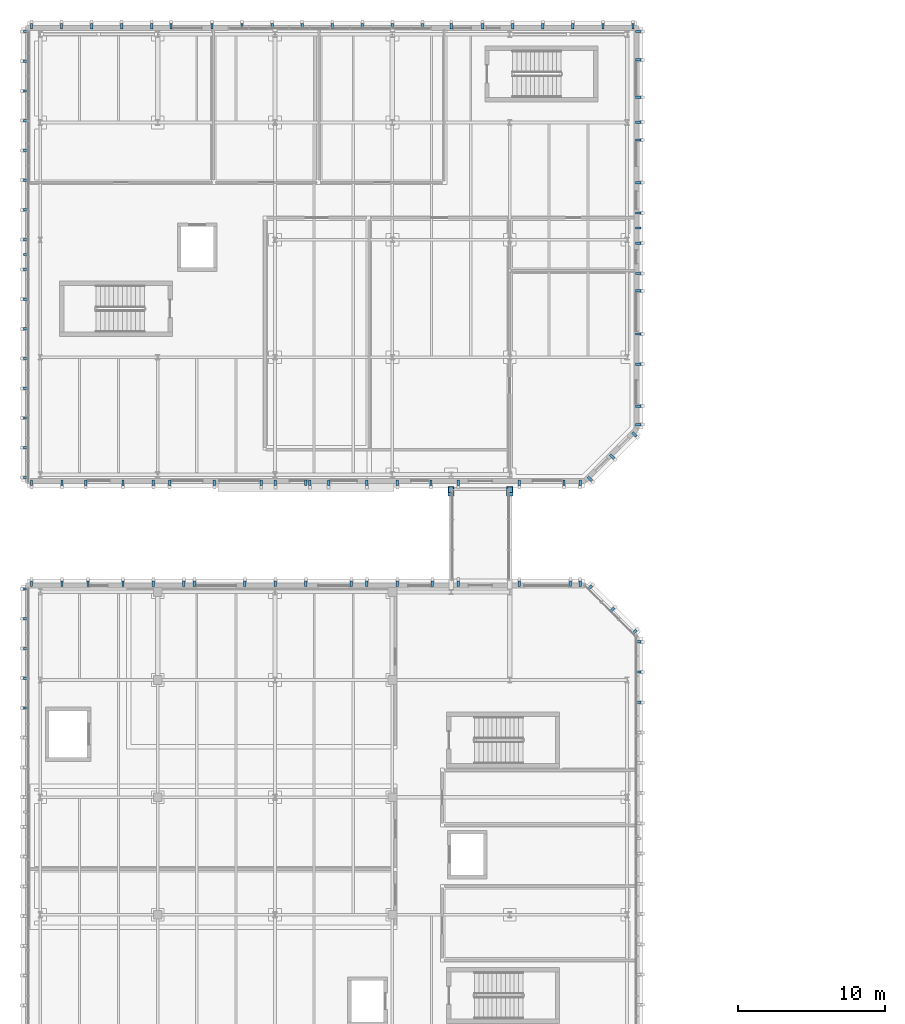
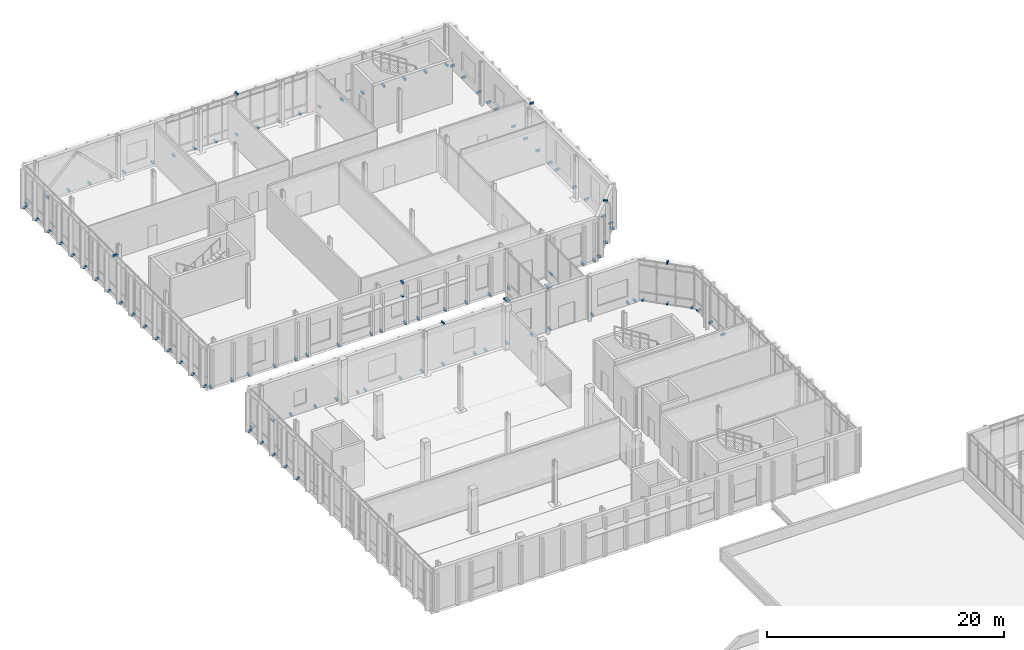
# One storey, part 70 of 86: 113 discrete accessories.
"""IFC4 building model written with IfcOpenShell, lengths in metres."""

from ifc_helpers import new_model, si_unit, direction, frame, origin, origin_2d, place, context, subcontext, project, spatial, rectangle, extrude, material, type_object, element, save


model = new_model("IFC4")

# Units and contexts
model_context = context("Model", 3, precision=1e-05, world=origin(), true_north=direction((0.0, 1.0)))
body_context = subcontext(model_context, "Body", "Model", "MODEL_VIEW")
ifc_project = project(units=[si_unit("LENGTHUNIT", "METRE"), si_unit("AREAUNIT", "SQUARE_METRE"), si_unit("VOLUMEUNIT", "CUBIC_METRE"), si_unit("PLANEANGLEUNIT", "RADIAN"), si_unit("MASSUNIT", "GRAM", prefix="KILO")], contexts=[model_context])

# Site, building, storey
site_placement = place(None, origin())
site = spatial("IfcSite", under=ifc_project, at=site_placement, CompositionType="ELEMENT")
building_placement = place(site_placement, origin())
building = spatial("IfcBuilding", under=site, at=building_placement, Name="Cymarion Research Institute", CompositionType="ELEMENT")
storey_placement = place(building_placement, frame((0.0, 0.0, 13.800048828125)))
storey = spatial("IfcBuildingStorey", under=building, at=storey_placement, Name="L03", CompositionType="ELEMENT", Elevation=13.800048828125)

# Discrete accessories
ifc_material = material(Name="Steel S355", Category="steel")
discrete_accessory_type_1 = type_object("IfcDiscreteAccessoryType", Name="PTFE ELASTOMERIC SLIDING BEARING SB01", PredefinedType="SHOE", material=ifc_material)
for number, where, z_axis, x_axis, name in (
    (1, (34.60009765625, 84.43994140625, -0.590087890625), (0.0, 0.0, 1.0), (1.0, 0.0, 0.0), "L03 SP2 unguided PTFE sliding bearing 1"),
    (2, (38.60009765625, 84.43994140625, -0.590087890625), (0.0, 0.0, 1.0), (1.0, 0.0, 0.0), "L03 SP2 unguided PTFE sliding bearing 2"),
):
    element("IfcDiscreteAccessory", number, at=place(storey_placement, frame(where, z_axis=z_axis, x_axis=x_axis)), inside=storey, type_object=discrete_accessory_type_1, Name=name, PredefinedType="SHOE", context=body_context, shape_type="SweptSolid", body=[
        extrude(rectangle(XDim=0.35009765625, YDim=0.35009765625, at=origin_2d()), origin(), (0.0, 0.0, 1.0), 0.080078125),
    ])
discrete_accessory_type_2 = type_object("IfcDiscreteAccessoryType", Name="STAINLESS STEEL FACADE FIN BRACKET FBK1", PredefinedType="BRACKET", material=ifc_material)
for number, where, z_axis, x_axis, name in (
    (3, (47.360107421875, 69.976806640625, -0.08984375), (0.0, 0.0, 1.0), (1.0, 0.0, 0.0), "L03 V4 vertical rib anchor bracket #699"),
    (4, (47.360107421875, 72.03857421875, -0.08984375), (0.0, 0.0, 1.0), (1.0, 0.0, 0.0), "L03 V4 vertical rib anchor bracket #700"),
    (5, (47.360107421875, 74.10009765625, -0.08984375), (0.0, 0.0, 1.0), (1.0, 0.0, 0.0), "L03 V4 vertical rib anchor bracket #701"),
):
    element("IfcDiscreteAccessory", number, at=place(storey_placement, frame(where, z_axis=z_axis, x_axis=x_axis)), inside=storey, type_object=discrete_accessory_type_2, Name=name, PredefinedType="BRACKET", context=body_context, shape_type="SweptSolid", body=[
        extrude(rectangle(XDim=0.3798828125, YDim=0.159912109375, at=origin_2d()), origin(), (0.0, 0.0, 1.0), 0.219970703125),
    ])
discrete_accessory_1_placement = place(storey_placement, frame((45.57177734375, 76.271728515625, 4.169921875), z_axis=(0.0, 0.0, 1.0), x_axis=(0.707106781187, 0.707106781187, 0.0)))
element("IfcDiscreteAccessory", 6, at=discrete_accessory_1_placement, inside=storey, type_object=discrete_accessory_type_2, Name="L03 V4 spandrel brow anchor bracket #702", PredefinedType="BRACKET", context=body_context, shape_type="SweptSolid", body=[
    extrude(rectangle(XDim=0.3798828125, YDim=0.159912109375, at=origin_2d()), origin(), (0.0, 0.0, 1.0), 0.199951171875),
])
for number, where, z_axis, x_axis, name in (
    (7, (47.0888671875, 74.754638671875, -0.08984375), (0.0, 0.0, 1.0), (0.707106781187, 0.707106781187, 0.0), "L03 V4 vertical rib anchor bracket #703"),
    (8, (45.57177734375, 76.271728515625, -0.08984375), (0.0, 0.0, 1.0), (0.707106781187, 0.707106781187, 0.0), "L03 V4 vertical rib anchor bracket #704"),
    (9, (44.054443359375, 77.788818359375, -0.08984375), (0.0, 0.0, 1.0), (0.707106781187, 0.707106781187, 0.0), "L03 V4 vertical rib anchor bracket #705"),
):
    element("IfcDiscreteAccessory", number, at=place(storey_placement, frame(where, z_axis=z_axis, x_axis=x_axis)), inside=storey, type_object=discrete_accessory_type_2, Name=name, PredefinedType="BRACKET", context=body_context, shape_type="SweptSolid", body=[
        extrude(rectangle(XDim=0.3798828125, YDim=0.159912109375, at=origin_2d()), origin(), (0.0, 0.0, 1.0), 0.219970703125),
    ])
discrete_accessory_2_placement = place(storey_placement, frame((24.699951171875, 78.06005859375, 4.169921875), z_axis=(0.0, 0.0, 1.0), x_axis=(0.0, 1.0, 0.0)))
element("IfcDiscreteAccessory", 10, at=discrete_accessory_2_placement, inside=storey, type_object=discrete_accessory_type_2, Name="L03 V4 spandrel brow anchor bracket #706", PredefinedType="BRACKET", context=body_context, shape_type="SweptSolid", body=[
    extrude(rectangle(XDim=0.3798828125, YDim=0.159912109375, at=origin_2d()), origin(), (0.0, 0.0, 1.0), 0.199951171875),
])
for number, where, z_axis, x_axis, name in (
    (11, (43.39990234375, 78.06005859375, -0.08984375), (0.0, 0.0, 1.0), (0.0, 1.0, 0.0), "L03 V4 vertical rib anchor bracket #707"),
    (12, (42.73828125, 78.06005859375, -0.08984375), (0.0, 0.0, 1.0), (0.0, 1.0, 0.0), "L03 V4 vertical rib anchor bracket #708"),
    (13, (39.244384765625, 78.06005859375, -0.08984375), (0.0, 0.0, 1.0), (0.0, 1.0, 0.0), "L03 V4 vertical rib anchor bracket #709"),
    (14, (35.0888671875, 78.06005859375, -0.08984375), (0.0, 0.0, 1.0), (0.0, 1.0, 0.0), "L03 V4 vertical rib anchor bracket #710"),
    (15, (33.3203125, 78.06005859375, -0.08984375), (0.0, 0.0, 1.0), (0.0, 1.0, 0.0), "L03 V4 vertical rib anchor bracket #711"),
    (16, (30.933349609375, 78.06005859375, -0.08984375), (0.0, 0.0, 1.0), (0.0, 1.0, 0.0), "L03 V4 vertical rib anchor bracket #712"),
    (17, (28.855712890625, 78.06005859375, -0.08984375), (0.0, 0.0, 1.0), (0.0, 1.0, 0.0), "L03 V4 vertical rib anchor bracket #713"),
    (18, (27.80029296875, 78.06005859375, -0.08984375), (0.0, 0.0, 1.0), (0.0, 1.0, 0.0), "L03 V4 vertical rib anchor bracket #714"),
    (19, (24.699951171875, 78.06005859375, -0.08984375), (0.0, 0.0, 1.0), (0.0, 1.0, 0.0), "L03 V4 vertical rib anchor bracket #715"),
    (20, (22.622314453125, 78.06005859375, -0.08984375), (0.0, 0.0, 1.0), (0.0, 1.0, 0.0), "L03 V4 vertical rib anchor bracket #716"),
    (21, (20.54443359375, 78.06005859375, -0.08984375), (0.0, 0.0, 1.0), (0.0, 1.0, 0.0), "L03 V4 vertical rib anchor bracket #717"),
    (22, (17.10009765625, 78.06005859375, -0.08984375), (0.0, 0.0, 1.0), (0.0, 1.0, 0.0), "L03 V4 vertical rib anchor bracket #718"),
    (23, (16.388916015625, 78.06005859375, -0.08984375), (0.0, 0.0, 1.0), (0.0, 1.0, 0.0), "L03 V4 vertical rib anchor bracket #719"),
    (24, (14.31103515625, 78.06005859375, -0.08984375), (0.0, 0.0, 1.0), (0.0, 1.0, 0.0), "L03 V4 vertical rib anchor bracket #720"),
    (25, (12.2333984375, 78.06005859375, -0.08984375), (0.0, 0.0, 1.0), (0.0, 1.0, 0.0), "L03 V4 vertical rib anchor bracket #721"),
    (26, (9.85009765625, 78.06005859375, -0.08984375), (0.0, 0.0, 1.0), (0.0, 1.0, 0.0), "L03 V4 vertical rib anchor bracket #722"),
    (27, (8.077880859375, 78.06005859375, -0.08984375), (0.0, 0.0, 1.0), (0.0, 1.0, 0.0), "L03 V4 vertical rib anchor bracket #723"),
    (28, (6.0, 78.06005859375, -0.08984375), (0.0, 0.0, 1.0), (0.0, 1.0, 0.0), "L03 V4 vertical rib anchor bracket #724"),
    (29, (5.639892578125, 77.699951171875, -0.08984375), (0.0, 0.0, 1.0), (-1.0, 0.0, 0.0), "L03 V4 vertical rib anchor bracket #726"),
    (30, (5.639892578125, 75.67333984375, -0.08984375), (0.0, 0.0, 1.0), (-1.0, 0.0, 0.0), "L03 V4 vertical rib anchor bracket #727"),
    (31, (5.639892578125, 73.646728515625, -0.08984375), (0.0, 0.0, 1.0), (-1.0, 0.0, 0.0), "L03 V4 vertical rib anchor bracket #728"),
    (32, (5.639892578125, 71.6201171875, -0.08984375), (0.0, 0.0, 1.0), (-1.0, 0.0, 0.0), "L03 V4 vertical rib anchor bracket #729"),
    (33, (5.639892578125, 69.59326171875, -0.08984375), (0.0, 0.0, 1.0), (-1.0, 0.0, 0.0), "L03 V4 vertical rib anchor bracket #730"),
):
    element("IfcDiscreteAccessory", number, at=place(storey_placement, frame(where, z_axis=z_axis, x_axis=x_axis)), inside=storey, type_object=discrete_accessory_type_2, Name=name, PredefinedType="BRACKET", context=body_context, shape_type="SweptSolid", body=[
        extrude(rectangle(XDim=0.3798828125, YDim=0.159912109375, at=origin_2d()), origin(), (0.0, 0.0, 1.0), 0.219970703125),
    ])
discrete_accessory_3_placement = place(storey_placement, frame((24.699951171875, 84.93994140625, 4.169921875), z_axis=(0.0, 0.0, 1.0), x_axis=(0.0, -1.0, 0.0)))
element("IfcDiscreteAccessory", 34, at=discrete_accessory_3_placement, inside=storey, type_object=discrete_accessory_type_2, Name="L03 V5 spandrel brow anchor bracket #742", PredefinedType="BRACKET", context=body_context, shape_type="SweptSolid", body=[
    extrude(rectangle(XDim=0.3798828125, YDim=0.159912109375, at=origin_2d()), origin(), (0.0, 0.0, 1.0), 0.199951171875),
])
for number, where, z_axis, x_axis, name in (
    (35, (6.0, 84.93994140625, -0.08984375), (0.0, 0.0, 1.0), (0.0, -1.0, 0.0), "L03 V5 vertical rib anchor bracket #743"),
    (36, (8.077880859375, 84.93994140625, -0.08984375), (0.0, 0.0, 1.0), (0.0, -1.0, 0.0), "L03 V5 vertical rib anchor bracket #744"),
    (37, (9.699951171875, 84.93994140625, -0.08984375), (0.0, 0.0, 1.0), (0.0, -1.0, 0.0), "L03 V5 vertical rib anchor bracket #745"),
    (38, (12.2333984375, 84.93994140625, -0.08984375), (0.0, 0.0, 1.0), (0.0, -1.0, 0.0), "L03 V5 vertical rib anchor bracket #746"),
    (39, (14.31103515625, 84.93994140625, -0.08984375), (0.0, 0.0, 1.0), (0.0, -1.0, 0.0), "L03 V5 vertical rib anchor bracket #747"),
    (40, (15.419921875, 84.93994140625, -0.08984375), (0.0, 0.0, 1.0), (0.0, -1.0, 0.0), "L03 V5 vertical rib anchor bracket #748"),
    (41, (18.466796875, 84.93994140625, -0.08984375), (0.0, 0.0, 1.0), (0.0, -1.0, 0.0), "L03 V5 vertical rib anchor bracket #749"),
    (42, (21.659912109375, 84.93994140625, -0.08984375), (0.0, 0.0, 1.0), (0.0, -1.0, 0.0), "L03 V5 vertical rib anchor bracket #750"),
    (43, (22.622314453125, 84.93994140625, -0.08984375), (0.0, 0.0, 1.0), (0.0, -1.0, 0.0), "L03 V5 vertical rib anchor bracket #751"),
    (44, (24.969970703125, 84.93994140625, -0.08984375), (0.0, 0.0, 1.0), (0.0, -1.0, 0.0), "L03 V5 vertical rib anchor bracket #752"),
    (45, (26.25, 84.93994140625, -0.08984375), (0.0, 0.0, 1.0), (0.0, -1.0, 0.0), "L03 V5 vertical rib anchor bracket #753"),
    (46, (28.855712890625, 84.93994140625, -0.08984375), (0.0, 0.0, 1.0), (0.0, -1.0, 0.0), "L03 V5 vertical rib anchor bracket #754"),
    (47, (30.933349609375, 84.93994140625, -0.08984375), (0.0, 0.0, 1.0), (0.0, -1.0, 0.0), "L03 V5 vertical rib anchor bracket #755"),
    (48, (33.22998046875, 84.93994140625, -0.08984375), (0.0, 0.0, 1.0), (0.0, -1.0, 0.0), "L03 V5 vertical rib anchor bracket #756"),
    (49, (35.0888671875, 84.93994140625, -0.08984375), (0.0, 0.0, 1.0), (0.0, -1.0, 0.0), "L03 V5 vertical rib anchor bracket #757"),
    (50, (39.244384765625, 84.93994140625, -0.08984375), (0.0, 0.0, 1.0), (0.0, -1.0, 0.0), "L03 V5 vertical rib anchor bracket #758"),
    (51, (42.300048828125, 84.93994140625, -0.08984375), (0.0, 0.0, 1.0), (0.0, -1.0, 0.0), "L03 V5 vertical rib anchor bracket #759"),
    (52, (43.39990234375, 84.93994140625, -0.08984375), (0.0, 0.0, 1.0), (0.0, -1.0, 0.0), "L03 V5 vertical rib anchor bracket #760"),
):
    element("IfcDiscreteAccessory", number, at=place(storey_placement, frame(where, z_axis=z_axis, x_axis=x_axis)), inside=storey, type_object=discrete_accessory_type_2, Name=name, PredefinedType="BRACKET", context=body_context, shape_type="SweptSolid", body=[
        extrude(rectangle(XDim=0.3798828125, YDim=0.159912109375, at=origin_2d()), origin(), (0.0, 0.0, 1.0), 0.219970703125),
    ])
discrete_accessory_4_placement = place(storey_placement, frame((24.699951171875, 84.949951171875, 2.72998046875), z_axis=(0.0, 0.0, 1.0), x_axis=(0.0, -1.0, 0.0)))
element("IfcDiscreteAccessory", 53, at=discrete_accessory_4_placement, inside=storey, type_object=discrete_accessory_type_2, Name="L03 V5 sunshade anchor bracket #8", PredefinedType="BRACKET", context=body_context, shape_type="SweptSolid", body=[
    extrude(rectangle(XDim=0.3798828125, YDim=0.159912109375, at=origin_2d()), origin(), (0.0, 0.0, 1.0), 0.179931640625),
])
discrete_accessory_5_placement = place(storey_placement, frame((45.57177734375, 86.728271484375, 4.169921875), z_axis=(0.0, 0.0, 1.0), x_axis=(0.707106781187, -0.707106781187, 0.0)))
element("IfcDiscreteAccessory", 54, at=discrete_accessory_5_placement, inside=storey, type_object=discrete_accessory_type_2, Name="L03 V5 spandrel brow anchor bracket #761", PredefinedType="BRACKET", context=body_context, shape_type="SweptSolid", body=[
    extrude(rectangle(XDim=0.3798828125, YDim=0.159912109375, at=origin_2d()), origin(), (0.0, 0.0, 1.0), 0.199951171875),
])
for number, where, z_axis, x_axis, name in (
    (55, (44.0546875, 85.211181640625, -0.08984375), (0.0, 0.0, 1.0), (0.707106781187, -0.707106781187, 0.0), "L03 V5 vertical rib anchor bracket #762"),
    (56, (45.57177734375, 86.728271484375, -0.08984375), (0.0, 0.0, 1.0), (0.707106781187, -0.707106781187, 0.0), "L03 V5 vertical rib anchor bracket #763"),
    (57, (47.0888671875, 88.24560546875, -0.08984375), (0.0, 0.0, 1.0), (0.707106781187, -0.707106781187, 0.0), "L03 V5 vertical rib anchor bracket #764"),
):
    element("IfcDiscreteAccessory", number, at=place(storey_placement, frame(where, z_axis=z_axis, x_axis=x_axis)), inside=storey, type_object=discrete_accessory_type_2, Name=name, PredefinedType="BRACKET", context=body_context, shape_type="SweptSolid", body=[
        extrude(rectangle(XDim=0.3798828125, YDim=0.159912109375, at=origin_2d()), origin(), (0.0, 0.0, 1.0), 0.219970703125),
    ])
discrete_accessory_6_placement = place(storey_placement, frame((47.360107421875, 102.300048828125, 4.169921875), z_axis=(0.0, 0.0, 1.0), x_axis=(1.0, 0.0, 0.0)))
element("IfcDiscreteAccessory", 58, at=discrete_accessory_6_placement, inside=storey, type_object=discrete_accessory_type_2, Name="L03 V5 spandrel brow anchor bracket #765", PredefinedType="BRACKET", context=body_context, shape_type="SweptSolid", body=[
    extrude(rectangle(XDim=0.3798828125, YDim=0.159912109375, at=origin_2d()), origin(), (0.0, 0.0, 1.0), 0.199951171875),
])
for number, where, z_axis, x_axis, name in (
    (59, (47.360107421875, 88.89990234375, -0.08984375), (0.0, 0.0, 1.0), (1.0, 0.0, 0.0), "L03 V5 vertical rib anchor bracket #766"),
    (60, (47.360107421875, 90.161865234375, -0.08984375), (0.0, 0.0, 1.0), (1.0, 0.0, 0.0), "L03 V5 vertical rib anchor bracket #767"),
    (61, (47.360107421875, 93.023193359375, -0.08984375), (0.0, 0.0, 1.0), (1.0, 0.0, 0.0), "L03 V5 vertical rib anchor bracket #768"),
    (62, (47.360107421875, 95.084716796875, -0.08984375), (0.0, 0.0, 1.0), (1.0, 0.0, 0.0), "L03 V5 vertical rib anchor bracket #769"),
    (63, (47.360107421875, 98.019775390625, -0.08984375), (0.0, 0.0, 1.0), (1.0, 0.0, 0.0), "L03 V5 vertical rib anchor bracket #770"),
    (64, (47.360107421875, 99.207763671875, -0.08984375), (0.0, 0.0, 1.0), (1.0, 0.0, 0.0), "L03 V5 vertical rib anchor bracket #771"),
    (65, (47.360107421875, 101.269287109375, -0.08984375), (0.0, 0.0, 1.0), (1.0, 0.0, 0.0), "L03 V5 vertical rib anchor bracket #772"),
    (66, (47.360107421875, 103.330810546875, -0.08984375), (0.0, 0.0, 1.0), (1.0, 0.0, 0.0), "L03 V5 vertical rib anchor bracket #773"),
    (67, (47.360107421875, 105.392333984375, -0.08984375), (0.0, 0.0, 1.0), (1.0, 0.0, 0.0), "L03 V5 vertical rib anchor bracket #774"),
    (68, (47.360107421875, 108.3046875, -0.08984375), (0.0, 0.0, 1.0), (1.0, 0.0, 0.0), "L03 V5 vertical rib anchor bracket #775"),
    (69, (47.360107421875, 109.515380859375, -0.08984375), (0.0, 0.0, 1.0), (1.0, 0.0, 0.0), "L03 V5 vertical rib anchor bracket #776"),
    (70, (47.360107421875, 111.21484375, -0.08984375), (0.0, 0.0, 1.0), (1.0, 0.0, 0.0), "L03 V5 vertical rib anchor bracket #777"),
    (71, (47.360107421875, 113.764892578125, -0.08984375), (0.0, 0.0, 1.0), (1.0, 0.0, 0.0), "L03 V5 vertical rib anchor bracket #778"),
    (72, (47.360107421875, 115.699951171875, -0.08984375), (0.0, 0.0, 1.0), (1.0, 0.0, 0.0), "L03 V5 vertical rib anchor bracket #779"),
):
    element("IfcDiscreteAccessory", number, at=place(storey_placement, frame(where, z_axis=z_axis, x_axis=x_axis)), inside=storey, type_object=discrete_accessory_type_2, Name=name, PredefinedType="BRACKET", context=body_context, shape_type="SweptSolid", body=[
        extrude(rectangle(XDim=0.3798828125, YDim=0.159912109375, at=origin_2d()), origin(), (0.0, 0.0, 1.0), 0.219970703125),
    ])
discrete_accessory_7_placement = place(storey_placement, frame((26.5, 116.06005859375, 4.169921875), z_axis=(0.0, 0.0, 1.0), x_axis=(0.0, 1.0, 0.0)))
element("IfcDiscreteAccessory", 73, at=discrete_accessory_7_placement, inside=storey, type_object=discrete_accessory_type_2, Name="L03 V5 spandrel brow anchor bracket #780", PredefinedType="BRACKET", context=body_context, shape_type="SweptSolid", body=[
    extrude(rectangle(XDim=0.3798828125, YDim=0.159912109375, at=origin_2d()), origin(), (0.0, 0.0, 1.0), 0.199951171875),
])
for number, where, z_axis, x_axis, name in (
    (74, (47.0, 116.06005859375, -0.08984375), (0.0, 0.0, 1.0), (0.0, 1.0, 0.0), "L03 V5 vertical rib anchor bracket #781"),
    (75, (44.949951171875, 116.06005859375, -0.08984375), (0.0, 0.0, 1.0), (0.0, 1.0, 0.0), "L03 V5 vertical rib anchor bracket #782"),
    (76, (42.89990234375, 116.06005859375, -0.08984375), (0.0, 0.0, 1.0), (0.0, 1.0, 0.0), "L03 V5 vertical rib anchor bracket #783"),
    (77, (40.85009765625, 116.06005859375, -0.08984375), (0.0, 0.0, 1.0), (0.0, 1.0, 0.0), "L03 V5 vertical rib anchor bracket #784"),
    (78, (38.800048828125, 116.06005859375, -0.08984375), (0.0, 0.0, 1.0), (0.0, 1.0, 0.0), "L03 V5 vertical rib anchor bracket #785"),
    (79, (36.75, 116.06005859375, -0.08984375), (0.0, 0.0, 1.0), (0.0, 1.0, 0.0), "L03 V5 vertical rib anchor bracket #786"),
    (80, (34.610107421875, 116.06005859375, -0.08984375), (0.0, 0.0, 1.0), (0.0, 1.0, 0.0), "L03 V5 vertical rib anchor bracket #787"),
    (81, (32.64990234375, 116.06005859375, -0.08984375), (0.0, 0.0, 1.0), (0.0, 1.0, 0.0), "L03 V5 vertical rib anchor bracket #788"),
    (82, (30.60009765625, 116.06005859375, -0.08984375), (0.0, 0.0, 1.0), (0.0, 1.0, 0.0), "L03 V5 vertical rib anchor bracket #789"),
    (83, (28.550048828125, 116.06005859375, -0.08984375), (0.0, 0.0, 1.0), (0.0, 1.0, 0.0), "L03 V5 vertical rib anchor bracket #790"),
    (84, (26.5, 116.06005859375, -0.08984375), (0.0, 0.0, 1.0), (0.0, 1.0, 0.0), "L03 V5 vertical rib anchor bracket #791"),
    (85, (24.449951171875, 116.06005859375, -0.08984375), (0.0, 0.0, 1.0), (0.0, 1.0, 0.0), "L03 V5 vertical rib anchor bracket #792"),
    (86, (22.39990234375, 116.06005859375, -0.08984375), (0.0, 0.0, 1.0), (0.0, 1.0, 0.0), "L03 V5 vertical rib anchor bracket #793"),
    (87, (20.35009765625, 116.06005859375, -0.08984375), (0.0, 0.0, 1.0), (0.0, 1.0, 0.0), "L03 V5 vertical rib anchor bracket #794"),
    (88, (18.300048828125, 116.06005859375, -0.08984375), (0.0, 0.0, 1.0), (0.0, 1.0, 0.0), "L03 V5 vertical rib anchor bracket #795"),
    (89, (15.5048828125, 116.06005859375, -0.08984375), (0.0, 0.0, 1.0), (0.0, 1.0, 0.0), "L03 V5 vertical rib anchor bracket #796"),
    (90, (14.199951171875, 116.06005859375, -0.08984375), (0.0, 0.0, 1.0), (0.0, 1.0, 0.0), "L03 V5 vertical rib anchor bracket #797"),
    (91, (12.14990234375, 116.06005859375, -0.08984375), (0.0, 0.0, 1.0), (0.0, 1.0, 0.0), "L03 V5 vertical rib anchor bracket #798"),
    (92, (10.10009765625, 116.06005859375, -0.08984375), (0.0, 0.0, 1.0), (0.0, 1.0, 0.0), "L03 V5 vertical rib anchor bracket #799"),
    (93, (8.050048828125, 116.06005859375, -0.08984375), (0.0, 0.0, 1.0), (0.0, 1.0, 0.0), "L03 V5 vertical rib anchor bracket #800"),
    (94, (6.0, 116.06005859375, -0.08984375), (0.0, 0.0, 1.0), (0.0, 1.0, 0.0), "L03 V5 vertical rib anchor bracket #801"),
):
    element("IfcDiscreteAccessory", number, at=place(storey_placement, frame(where, z_axis=z_axis, x_axis=x_axis)), inside=storey, type_object=discrete_accessory_type_2, Name=name, PredefinedType="BRACKET", context=body_context, shape_type="SweptSolid", body=[
        extrude(rectangle(XDim=0.3798828125, YDim=0.159912109375, at=origin_2d()), origin(), (0.0, 0.0, 1.0), 0.219970703125),
    ])
discrete_accessory_8_placement = place(storey_placement, frame((5.639892578125, 100.5, 4.169921875), z_axis=(0.0, 0.0, 1.0), x_axis=(-1.0, 0.0, 0.0)))
element("IfcDiscreteAccessory", 95, at=discrete_accessory_8_placement, inside=storey, type_object=discrete_accessory_type_2, Name="L03 V5 spandrel brow anchor bracket #802", PredefinedType="BRACKET", context=body_context, shape_type="SweptSolid", body=[
    extrude(rectangle(XDim=0.3798828125, YDim=0.159912109375, at=origin_2d()), origin(), (0.0, 0.0, 1.0), 0.199951171875),
])
for number, where, z_axis, x_axis, name in (
    (96, (5.639892578125, 115.699951171875, -0.08984375), (0.0, 0.0, 1.0), (-1.0, 0.0, 0.0), "L03 V5 vertical rib anchor bracket #803"),
    (97, (5.639892578125, 113.67333984375, -0.08984375), (0.0, 0.0, 1.0), (-1.0, 0.0, 0.0), "L03 V5 vertical rib anchor bracket #804"),
    (98, (5.639892578125, 111.646728515625, -0.08984375), (0.0, 0.0, 1.0), (-1.0, 0.0, 0.0), "L03 V5 vertical rib anchor bracket #805"),
    (99, (5.639892578125, 109.6201171875, -0.08984375), (0.0, 0.0, 1.0), (-1.0, 0.0, 0.0), "L03 V5 vertical rib anchor bracket #806"),
    (100, (5.639892578125, 107.59326171875, -0.08984375), (0.0, 0.0, 1.0), (-1.0, 0.0, 0.0), "L03 V5 vertical rib anchor bracket #807"),
    (101, (5.639892578125, 105.566650390625, -0.08984375), (0.0, 0.0, 1.0), (-1.0, 0.0, 0.0), "L03 V5 vertical rib anchor bracket #808"),
    (102, (5.639892578125, 103.5400390625, -0.08984375), (0.0, 0.0, 1.0), (-1.0, 0.0, 0.0), "L03 V5 vertical rib anchor bracket #809"),
    (103, (5.639892578125, 101.51318359375, -0.08984375), (0.0, 0.0, 1.0), (-1.0, 0.0, 0.0), "L03 V5 vertical rib anchor bracket #810"),
    (104, (5.639892578125, 99.48681640625, -0.08984375), (0.0, 0.0, 1.0), (-1.0, 0.0, 0.0), "L03 V5 vertical rib anchor bracket #811"),
    (105, (5.639892578125, 97.4599609375, -0.08984375), (0.0, 0.0, 1.0), (-1.0, 0.0, 0.0), "L03 V5 vertical rib anchor bracket #812"),
    (106, (5.639892578125, 95.433349609375, -0.08984375), (0.0, 0.0, 1.0), (-1.0, 0.0, 0.0), "L03 V5 vertical rib anchor bracket #813"),
    (107, (5.639892578125, 93.40673828125, -0.08984375), (0.0, 0.0, 1.0), (-1.0, 0.0, 0.0), "L03 V5 vertical rib anchor bracket #814"),
    (108, (5.639892578125, 91.3798828125, -0.08984375), (0.0, 0.0, 1.0), (-1.0, 0.0, 0.0), "L03 V5 vertical rib anchor bracket #815"),
    (109, (5.639892578125, 89.353271484375, -0.08984375), (0.0, 0.0, 1.0), (-1.0, 0.0, 0.0), "L03 V5 vertical rib anchor bracket #816"),
    (110, (5.639892578125, 87.32666015625, -0.08984375), (0.0, 0.0, 1.0), (-1.0, 0.0, 0.0), "L03 V5 vertical rib anchor bracket #817"),
    (111, (5.639892578125, 85.300048828125, -0.08984375), (0.0, 0.0, 1.0), (-1.0, 0.0, 0.0), "L03 V5 vertical rib anchor bracket #818"),
):
    element("IfcDiscreteAccessory", number, at=place(storey_placement, frame(where, z_axis=z_axis, x_axis=x_axis)), inside=storey, type_object=discrete_accessory_type_2, Name=name, PredefinedType="BRACKET", context=body_context, shape_type="SweptSolid", body=[
        extrude(rectangle(XDim=0.3798828125, YDim=0.159912109375, at=origin_2d()), origin(), (0.0, 0.0, 1.0), 0.219970703125),
    ])
discrete_accessory_type_3 = type_object("IfcDiscreteAccessoryType", Name="STEEL BRIDGE BEARING CORBEL SEAT SBS650 420X650", PredefinedType="BRACKET", material=ifc_material)
for number, where, z_axis, x_axis, name in (
    (112, (34.60009765625, 84.364990234375, -0.72998046875), (0.0, 0.0, 1.0), (1.0, 0.0, 0.0), "L03 SP2 650mm steel bridge bearing seat corbel 1"),
    (113, (38.60009765625, 84.364990234375, -0.72998046875), (0.0, 0.0, 1.0), (1.0, 0.0, 0.0), "L03 SP2 650mm steel bridge bearing seat corbel 2"),
):
    element("IfcDiscreteAccessory", number, at=place(storey_placement, frame(where, z_axis=z_axis, x_axis=x_axis)), inside=storey, type_object=discrete_accessory_type_3, Name=name, PredefinedType="BRACKET", context=body_context, shape_type="SweptSolid", body=[
        extrude(rectangle(XDim=0.419921875, YDim=0.64990234375, at=origin_2d()), origin(), (0.0, 0.0, 1.0), 0.139892578125),
    ])

save(model, "model.ifc")
